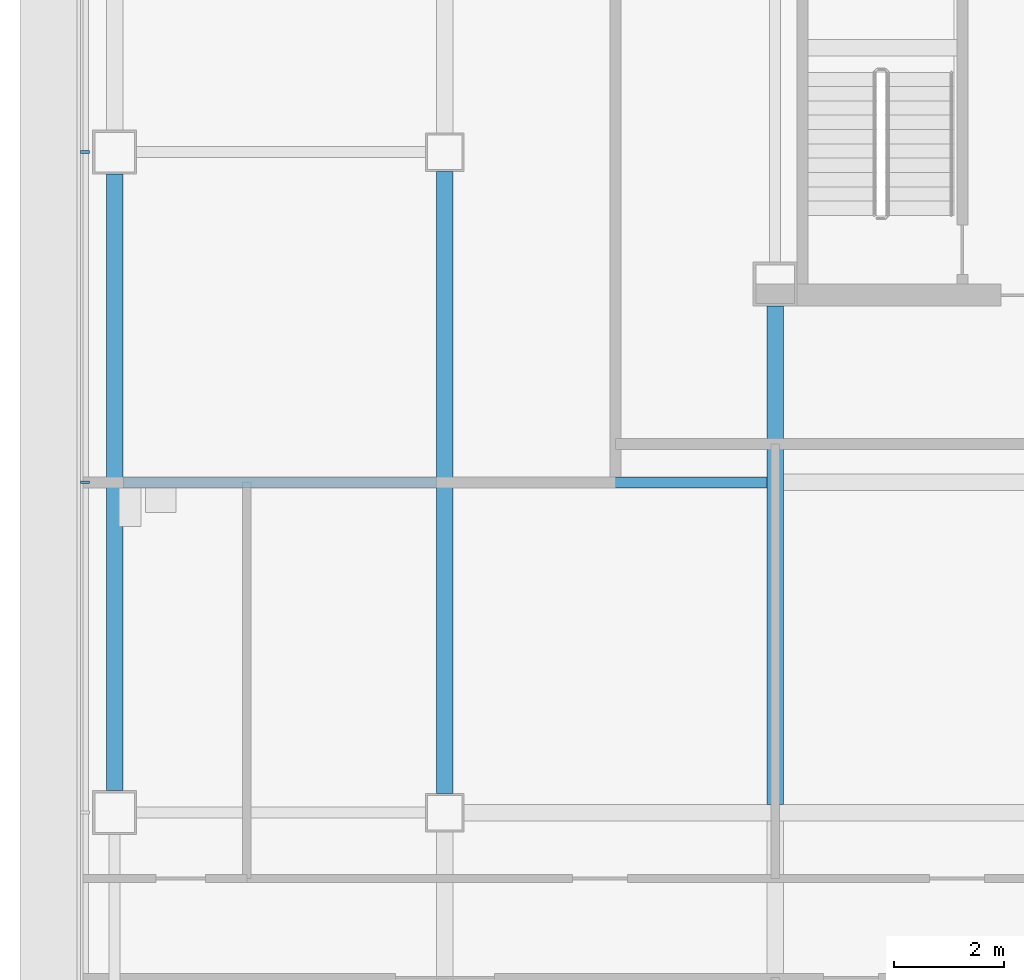
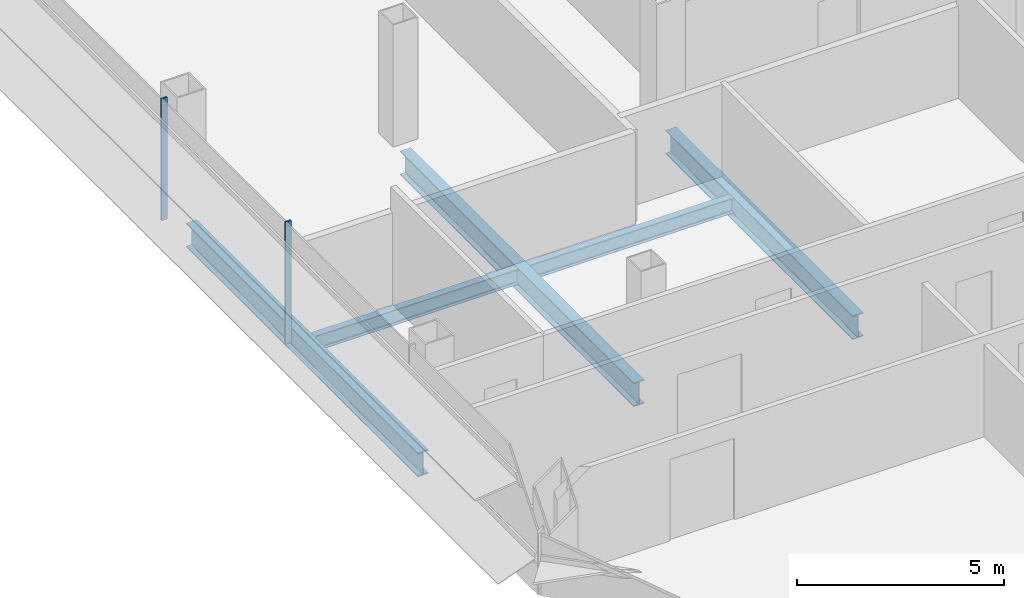
# One storey, part 4 of 25: 5 beams, 2 members, 1 element without a shape of its own.
"""IFC4 building model written with IfcOpenShell, lengths in metres."""

from ifc_helpers import new_model, si_unit, direction, frame, origin, origin_2d, place, context, subcontext, project, spatial, rectangle, i_section, extrude, material, material_profile, profile_set, type_object, element, aggregate, save


model = new_model("IFC4")

# Units and contexts
model_context = context("Model", 3, precision=1e-05, world=origin(), true_north=direction((0.0, 1.0)))
body_context = subcontext(model_context, "Body", "Model", "MODEL_VIEW")
ifc_project = project(units=[si_unit("LENGTHUNIT", "METRE"), si_unit("AREAUNIT", "SQUARE_METRE"), si_unit("VOLUMEUNIT", "CUBIC_METRE"), si_unit("PLANEANGLEUNIT", "RADIAN"), si_unit("MASSUNIT", "GRAM", prefix="KILO")], contexts=[model_context])

# Site, building, storey
site_placement = place(None, origin())
site = spatial("IfcSite", under=ifc_project, at=site_placement, CompositionType="ELEMENT")
building_placement = place(site_placement, origin())
building = spatial("IfcBuilding", under=site, at=building_placement, Name="Sorahane Residences", CompositionType="ELEMENT")
storey_placement = place(building_placement, frame((0.0, 0.0, 126.800048828125)))
storey = spatial("IfcBuildingStorey", under=building, at=storey_placement, Name="L28", CompositionType="ELEMENT", Elevation=126.800048828125)

# Curtain wall, members
ifc_material_1 = material(Name="Dark low-e glass and black anodised aluminium", Category="aluminium")
curtain_wall_type = type_object("IfcCurtainWallType", Name="Curtain wall CW-1 Typical unitised wall", PredefinedType="NOTDEFINED", material=ifc_material_1)
curtain_wall_placement = place(storey_placement, origin())
curtain_wall = element("IfcCurtainWall", 1, at=curtain_wall_placement, inside=storey, type_object=curtain_wall_type, Name="CW-1 curtain wall L28 W1", PredefinedType="NOTDEFINED")
ifc_material_2 = material(Name="Black anodised aluminium", Category="aluminium")
ifc_material_profile_1 = material_profile(ifc_material_2, rectangle(XDim=0.159912109375, YDim=0.050048828125, at=origin_2d()), Name="Curtain wall mullion CW-1 black anodised aluminium 50x160")
ifc_profile_set_1 = profile_set([ifc_material_profile_1], Name="Black anodised aluminium")
member_type = type_object("IfcMemberType", Name="Curtain wall mullion CW-1 black anodised aluminium 50x160", PredefinedType="MULLION", material=ifc_profile_set_1)
member_1_placement = place(storey_placement, frame((-6.5400390625, 24.0, -0.179931640625), z_axis=(0.0, 0.0, 1.0), x_axis=(-1.0, 0.0, 0.0)))
member_1 = element("IfcMember", 2, at=member_1_placement, type_object=member_type, Name="CW-1 mullion L28 W1.4", PredefinedType="MULLION", context=body_context, shape_type="SweptSolid", body=[
    extrude(rectangle(XDim=0.159912109375, YDim=0.050048828125, at=origin_2d()), origin(), (0.0, 0.0, 1.0), 3.599853515625),
])
member_2_placement = place(storey_placement, frame((-6.5400390625, 18.0, -0.179931640625), z_axis=(0.0, 0.0, 1.0), x_axis=(-1.0, 0.0, 0.0)))
member_2 = element("IfcMember", 3, at=member_2_placement, type_object=member_type, Name="CW-1 mullion L28 W1.5", PredefinedType="MULLION", context=body_context, shape_type="SweptSolid", body=[
    extrude(rectangle(XDim=0.159912109375, YDim=0.050048828125, at=origin_2d()), origin(), (0.0, 0.0, 1.0), 3.599853515625),
])
aggregate(curtain_wall, [member_1, member_2])

# Beams
ifc_material_3 = material(Name="Steel Q355B", Category="steel")
ifc_material_profile_2 = material_profile(ifc_material_3, i_section(OverallWidth=0.199951171875, OverallDepth=0.449951171875, WebThickness=0.009033203125, FlangeThickness=0.013916015625, FilletRadius=0.02001953125, at=origin_2d()), Name="HN 450x200x9x14")
ifc_profile_set_2 = profile_set([ifc_material_profile_2], Name="Steel Q355B")
beam_type_1 = type_object("IfcBeamType", Name="Steel floor beam HN 450x200x9x14 Q355B", PredefinedType="BEAM", material=ifc_profile_set_2)
for number, where, z_axis, x_axis, name in (
    (4, (-5.85009765625, 18.0, -0.405029296875), (1.0, 0.0, 0.0), (0.0, 1.0, 0.0), "Beam L28 078"),
    (5, (0.14990234375, 18.0, -0.405029296875), (1.0, 0.0, 0.0), (0.0, 1.0, 0.0), "Beam L28 079"),
):
    element("IfcBeam", number, at=place(storey_placement, frame(where, z_axis=z_axis, x_axis=x_axis)), inside=storey, type_object=beam_type_1, Name=name, PredefinedType="BEAM", context=body_context, shape_type="SweptSolid", body=[
        extrude(i_section(OverallWidth=0.199951171875, OverallDepth=0.449951171875, WebThickness=0.009033203125, FlangeThickness=0.013916015625, FilletRadius=0.02001953125, at=origin_2d()), origin(), (0.0, 0.0, 1.0), 5.7001953125),
    ])
ifc_material_4 = material(Name="Steel Q355B", Category="steel")
ifc_material_profile_3 = material_profile(ifc_material_4, i_section(OverallWidth=0.300048828125, OverallDepth=0.699951171875, WebThickness=0.012939453125, FlangeThickness=0.02392578125, FilletRadius=0.028076171875, at=origin_2d()), Name="HN 700x300x13x24")
ifc_profile_set_3 = profile_set([ifc_material_profile_3], Name="Steel Q355B")
beam_type_2 = type_object("IfcBeamType", Name="Steel floor beam HN 700x300x13x24 Q355B", PredefinedType="BEAM", material=ifc_profile_set_3)
beam_1_placement = place(storey_placement, frame((-6.0, 12.39990234375, -0.530029296875), z_axis=(0.0, 1.0, 0.0), x_axis=(-1.0, 0.0, 0.0)))
element("IfcBeam", 6, at=beam_1_placement, inside=storey, type_object=beam_type_2, Name="Beam L28 021", PredefinedType="BEAM", context=body_context, shape_type="SweptSolid", body=[
    extrude(i_section(OverallWidth=0.300048828125, OverallDepth=0.699951171875, WebThickness=0.012939453125, FlangeThickness=0.02392578125, FilletRadius=0.028076171875, at=origin_2d()), origin(), (0.0, 0.0, 1.0), 11.2001953125),
])
beam_2_placement = place(storey_placement, frame((0.0, 12.35009765625, -0.530029296875), z_axis=(0.0, 1.0, 0.0), x_axis=(-1.0, 0.0, 0.0)))
element("IfcBeam", 7, at=beam_2_placement, inside=storey, type_object=beam_type_2, Name="Beam L28 025", PredefinedType="BEAM", context=body_context, shape_type="SweptSolid", body=[
    extrude(i_section(OverallWidth=0.300048828125, OverallDepth=0.699951171875, WebThickness=0.012939453125, FlangeThickness=0.02392578125, FilletRadius=0.028076171875, at=origin_2d()), origin(), (0.0, 0.0, 1.0), 11.2998046875),
])
beam_3_placement = place(storey_placement, frame((6.0, 12.14990234375, -0.530029296875), z_axis=(0.0, 1.0, 0.0), x_axis=(-1.0, 0.0, 0.0)))
element("IfcBeam", 8, at=beam_3_placement, inside=storey, type_object=beam_type_2, Name="Beam L28 029", PredefinedType="BEAM", context=body_context, shape_type="SweptSolid", body=[
    extrude(i_section(OverallWidth=0.300048828125, OverallDepth=0.699951171875, WebThickness=0.012939453125, FlangeThickness=0.02392578125, FilletRadius=0.028076171875, at=origin_2d()), origin(), (0.0, 0.0, 1.0), 9.050048828125),
])

save(model, "model.ifc")
